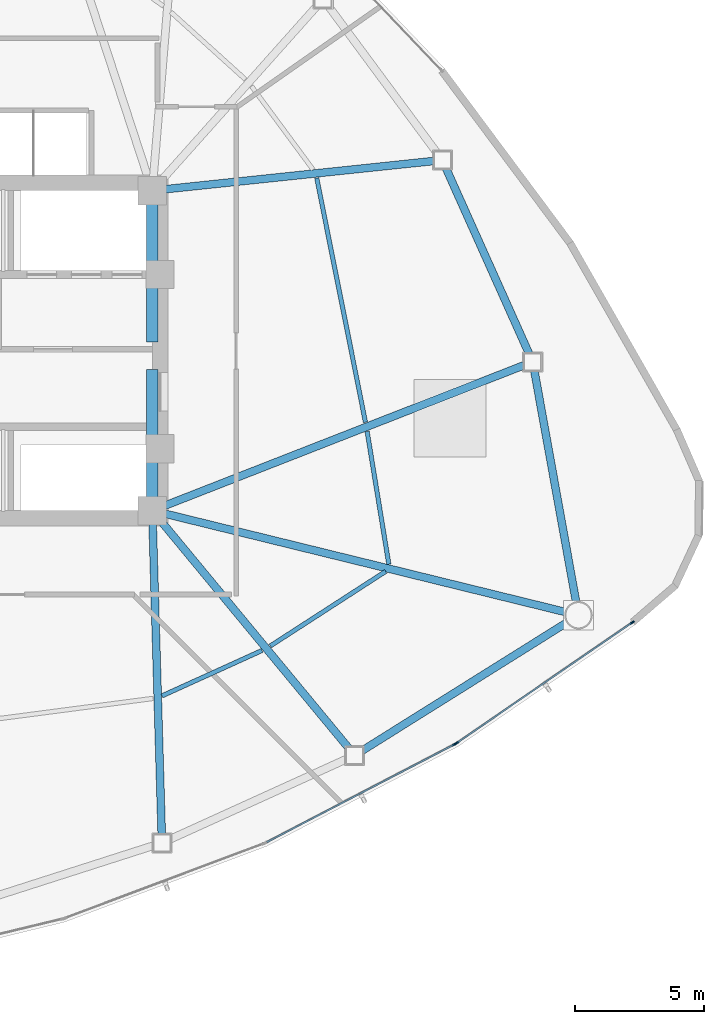
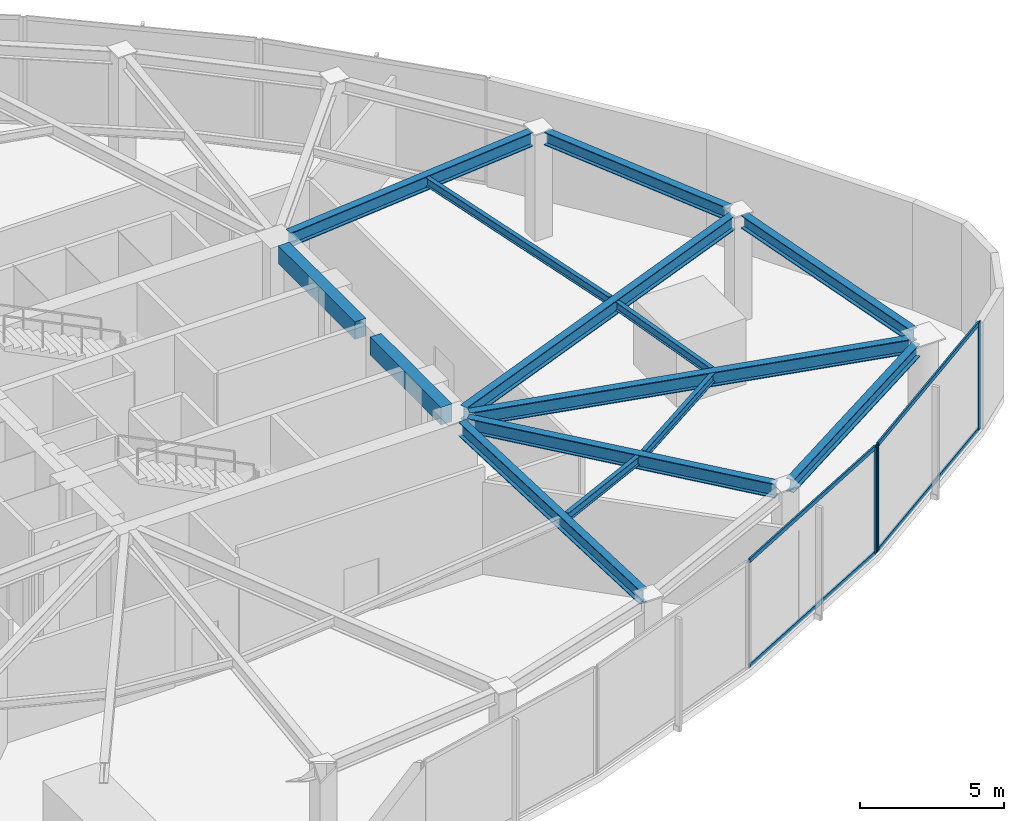
# One storey, part 6 of 16: 14 beams, 7 members, 2 elements without a shape of their own.
"""IFC4 building model written with IfcOpenShell, lengths in metres."""

from ifc_helpers import new_model, si_unit, direction, frame, origin, origin_2d, place, context, subcontext, project, spatial, rectangle, hollow_rectangle, i_section, extrude, source, transform, mapped, material, layer, layer_set, material_profile, profile_set, type_object, type_shapes, element, aggregate, save


model = new_model("IFC4")

# Units and contexts
model_context = context("Model", 3, precision=1e-05, world=origin(), true_north=direction((0.0, 1.0)))
body_context = subcontext(model_context, "Body", "Model", "MODEL_VIEW")
ifc_project = project(units=[si_unit("LENGTHUNIT", "METRE"), si_unit("AREAUNIT", "SQUARE_METRE"), si_unit("VOLUMEUNIT", "CUBIC_METRE"), si_unit("PLANEANGLEUNIT", "RADIAN"), si_unit("MASSUNIT", "GRAM", prefix="KILO")], contexts=[model_context])

# Site, building, storey
site_placement = place(None, origin())
site = spatial("IfcSite", under=ifc_project, at=site_placement, CompositionType="ELEMENT")
building_placement = place(site_placement, origin())
building = spatial("IfcBuilding", under=site, at=building_placement, Name="Tavelor Broadcast Tower", CompositionType="ELEMENT")
storey_placement = place(building_placement, frame((0.0, 0.0, 97.800048828125)))
storey = spatial("IfcBuildingStorey", under=building, at=storey_placement, Name="L23", CompositionType="ELEMENT", Elevation=97.800048828125)

# Beams
ifc_material_1 = material(Name="Concrete C40/50", Category="concrete")
ifc_material_profile_1 = material_profile(ifc_material_1, rectangle(XDim=0.449951171875, YDim=0.75, at=origin_2d()), Name="RC 450x750")
ifc_profile_set_1 = profile_set([ifc_material_profile_1], Name="Concrete C40/50")
beam_type_1 = type_object("IfcBeamType", Name="Basement Core Trim Beam 450x750", PredefinedType="BEAM", material=ifc_profile_set_1)
beam_1_placement = place(storey_placement, frame((56.60009765625, 45.327880859375, 4.175048828125), z_axis=(0.0, 1.0, 0.0), x_axis=(-1.0, 0.0, 0.0)))
element("IfcBeam", 1, at=beam_1_placement, inside=storey, type_object=beam_type_1, Name="L23 Core East-N Tie Girder", PredefinedType="BEAM", context=body_context, shape_type="SweptSolid", body=[
    extrude(rectangle(XDim=0.449951171875, YDim=0.75, at=origin_2d()), origin(), (0.0, 0.0, 1.0), 5.34423828125),
])
beam_2_placement = place(storey_placement, frame((56.60009765625, 39.327880859375, 4.175048828125), z_axis=(0.0, 1.0, 0.0), x_axis=(-1.0, 0.0, 0.0)))
element("IfcBeam", 2, at=beam_2_placement, inside=storey, type_object=beam_type_1, Name="L23 Core East-S Tie Girder", PredefinedType="BEAM", context=body_context, shape_type="SweptSolid", body=[
    extrude(rectangle(XDim=0.449951171875, YDim=0.75, at=origin_2d()), origin(), (0.0, 0.0, 1.0), 4.944091796875),
])
ifc_material_2 = material(Name="Steel S355", Category="steel")
ifc_material_profile_2 = material_profile(ifc_material_2, i_section(OverallWidth=0.169921875, OverallDepth=0.360107421875, WebThickness=0.008056640625, FlangeThickness=0.0126953125, at=origin_2d()), Name="IPE 360")
ifc_profile_set_2 = profile_set([ifc_material_profile_2], Name="Steel S355")
beam_type_2 = type_object("IfcBeamType", Name="Composite Floor Joist T2 IPE 360", PredefinedType="JOIST", material=ifc_profile_set_2)
beam_3_placement = place(storey_placement, frame((56.976318359375, 31.61865234375, 4.369873046875), z_axis=(0.910576347723, 0.413340918573, 0.0), x_axis=(-0.413340918573, 0.910576347723, 0.0)))
element("IfcBeam", 3, at=beam_3_placement, inside=storey, type_object=beam_type_2, Name="L23 Secondary Composite Floor Joist 11", PredefinedType="JOIST", context=body_context, shape_type="SweptSolid", body=[
    extrude(i_section(OverallWidth=0.169921875, OverallDepth=0.360107421875, WebThickness=0.008056640625, FlangeThickness=0.0126953125, at=origin_2d()), origin(), (0.0, 0.0, 1.0), 4.26025390625),
])
beam_4_placement = place(storey_placement, frame((61.172607421875, 33.552490234375, 4.369873046875), z_axis=(0.839830816691, 0.542848228639, 0.0), x_axis=(-0.542848228639, 0.839830816691, 0.0)))
element("IfcBeam", 4, at=beam_4_placement, inside=storey, type_object=beam_type_2, Name="L23 Secondary Composite Floor Joist 12", PredefinedType="JOIST", context=body_context, shape_type="SweptSolid", body=[
    extrude(i_section(OverallWidth=0.169921875, OverallDepth=0.360107421875, WebThickness=0.008056640625, FlangeThickness=0.0126953125, at=origin_2d()), origin(), (0.0, 0.0, 1.0), 5.325439453125),
])
beam_5_placement = place(storey_placement, frame((65.767822265625, 36.72021484375, 4.369873046875), z_axis=(-0.161277112784, 0.986909161419, 0.0), x_axis=(-0.986909161419, -0.161277112784, 0.0)))
element("IfcBeam", 5, at=beam_5_placement, inside=storey, type_object=beam_type_2, Name="L23 Secondary Composite Floor Joist 13", PredefinedType="JOIST", context=body_context, shape_type="SweptSolid", body=[
    extrude(i_section(OverallWidth=0.169921875, OverallDepth=0.360107421875, WebThickness=0.008056640625, FlangeThickness=0.0126953125, at=origin_2d()), origin(), (0.0, 0.0, 1.0), 5.213623046875),
])
beam_6_placement = place(storey_placement, frame((64.8623046875, 42.2216796875, 4.369873046875), z_axis=(-0.195581157194, 0.980687519524, 0.0), x_axis=(-0.980687519524, -0.195581157194, 0.0)))
element("IfcBeam", 6, at=beam_6_placement, inside=storey, type_object=beam_type_2, Name="L23 Secondary Composite Floor Joist 14", PredefinedType="JOIST", context=body_context, shape_type="SweptSolid", body=[
    extrude(i_section(OverallWidth=0.169921875, OverallDepth=0.360107421875, WebThickness=0.008056640625, FlangeThickness=0.0126953125, at=origin_2d()), origin(), (0.0, 0.0, 1.0), 9.654296875),
])
ifc_material_profile_3 = material_profile(ifc_material_2, i_section(OverallWidth=0.300048828125, OverallDepth=0.550048828125, WebThickness=0.014892578125, FlangeThickness=0.029052734375, at=origin_2d()), Name="HEB 550")
ifc_profile_set_3 = profile_set([ifc_material_profile_3], Name="Steel S355")
beam_type_3 = type_object("IfcBeamType", Name="Perimeter Spandrel Beam T2 HEB 550", PredefinedType="SPANDREL", material=ifc_profile_set_3)
beam_7_placement = place(storey_placement, frame((64.728271484375, 29.493408203125, 4.27490234375), z_axis=(0.847666386228, 0.530529638813, 0.0), x_axis=(-0.530529638813, 0.847666386228, 0.0)))
element("IfcBeam", 7, at=beam_7_placement, inside=storey, type_object=beam_type_3, Name="L23 Framed-Tube Ring Spandrel 12", PredefinedType="SPANDREL", context=body_context, shape_type="SweptSolid", body=[
    extrude(i_section(OverallWidth=0.300048828125, OverallDepth=0.550048828125, WebThickness=0.014892578125, FlangeThickness=0.029052734375, at=origin_2d()), origin(), (0.0, 0.0, 1.0), 9.385009765625),
])
beam_8_placement = place(storey_placement, frame((73.02685546875, 35.248046875, 4.27490234375), z_axis=(-0.177746542691, 0.984076301189, 0.0), x_axis=(-0.984076301189, -0.177746542691, 0.0)))
element("IfcBeam", 8, at=beam_8_placement, inside=storey, type_object=beam_type_3, Name="L23 Framed-Tube Ring Spandrel 13", PredefinedType="SPANDREL", context=body_context, shape_type="SweptSolid", body=[
    extrude(i_section(OverallWidth=0.300048828125, OverallDepth=0.550048828125, WebThickness=0.014892578125, FlangeThickness=0.029052734375, at=origin_2d()), origin(), (0.0, 0.0, 1.0), 9.13134765625),
])
beam_9_placement = place(storey_placement, frame((71.206787109375, 44.87109375, 4.27490234375), z_axis=(-0.408951132019, 0.912556284084, 0.0), x_axis=(-0.912556284084, -0.408951132019, 0.0)))
element("IfcBeam", 9, at=beam_9_placement, inside=storey, type_object=beam_type_3, Name="L23 Framed-Tube Ring Spandrel 14", PredefinedType="SPANDREL", context=body_context, shape_type="SweptSolid", body=[
    extrude(i_section(OverallWidth=0.300048828125, OverallDepth=0.550048828125, WebThickness=0.014892578125, FlangeThickness=0.029052734375, at=origin_2d()), origin(), (0.0, 0.0, 1.0), 7.895263671875),
])
ifc_material_profile_4 = material_profile(ifc_material_2, i_section(OverallWidth=0.300048828125, OverallDepth=0.60009765625, WebThickness=0.015380859375, FlangeThickness=0.030029296875, at=origin_2d()), Name="HEB 600")
ifc_profile_set_4 = profile_set([ifc_material_profile_4], Name="Steel S355")
beam_type_4 = type_object("IfcBeamType", Name="Radial Floor Girder T2 HEB 600", PredefinedType="BEAM", material=ifc_profile_set_4)
beam_10_placement = place(storey_placement, frame((56.615478515625, 38.272216796875, 4.25), z_axis=(0.029126279866, -0.999575739912, 0.0), x_axis=(0.999575739912, 0.029126279866, 0.0)))
element("IfcBeam", 10, at=beam_10_placement, inside=storey, type_object=beam_type_4, Name="L23 Radial Primary Floor Girder 11", PredefinedType="BEAM", context=body_context, shape_type="SweptSolid", body=[
    extrude(i_section(OverallWidth=0.300048828125, OverallDepth=0.60009765625, WebThickness=0.015380859375, FlangeThickness=0.030029296875, at=origin_2d()), origin(), (0.0, 0.0, 1.0), 12.02001953125),
])
beam_11_placement = place(storey_placement, frame((56.9365234375, 38.39306640625, 4.25), z_axis=(0.637277760564, -0.770634190709, 0.0), x_axis=(0.770634190709, 0.637277760564, 0.0)))
element("IfcBeam", 11, at=beam_11_placement, inside=storey, type_object=beam_type_4, Name="L23 Radial Primary Floor Girder 12", PredefinedType="BEAM", context=body_context, shape_type="SweptSolid", body=[
    extrude(i_section(OverallWidth=0.300048828125, OverallDepth=0.60009765625, WebThickness=0.015380859375, FlangeThickness=0.030029296875, at=origin_2d()), origin(), (0.0, 0.0, 1.0), 11.44384765625),
])
beam_12_placement = place(storey_placement, frame((57.11279296875, 38.674072265625, 4.25), z_axis=(0.971151145926, -0.238464780979, 0.0), x_axis=(0.238464780979, 0.971151145926, 0.0)))
element("IfcBeam", 12, at=beam_12_placement, inside=storey, type_object=beam_type_4, Name="L23 Radial Primary Floor Girder 13", PredefinedType="BEAM", context=body_context, shape_type="SweptSolid", body=[
    extrude(i_section(OverallWidth=0.300048828125, OverallDepth=0.60009765625, WebThickness=0.015380859375, FlangeThickness=0.030029296875, at=origin_2d()), origin(), (0.0, 0.0, 1.0), 15.96826171875),
])
beam_13_placement = place(storey_placement, frame((57.091796875, 38.9921875, 4.25), z_axis=(0.931341899941, 0.36414593972, 0.0), x_axis=(-0.36414593972, 0.931341899941, 0.0)))
element("IfcBeam", 13, at=beam_13_placement, inside=storey, type_object=beam_type_4, Name="L23 Radial Primary Floor Girder 14", PredefinedType="BEAM", context=body_context, shape_type="SweptSolid", body=[
    extrude(i_section(OverallWidth=0.300048828125, OverallDepth=0.60009765625, WebThickness=0.015380859375, FlangeThickness=0.030029296875, at=origin_2d()), origin(), (0.0, 0.0, 1.0), 14.967041015625),
])
beam_14_placement = place(storey_placement, frame((57.125, 51.255126953125, 4.25), z_axis=(0.994510577777, 0.104636086941, 0.0), x_axis=(-0.104636086941, 0.994510577777, 0.0)))
element("IfcBeam", 14, at=beam_14_placement, inside=storey, type_object=beam_type_4, Name="L23 Radial Primary Floor Girder 15", PredefinedType="BEAM", context=body_context, shape_type="SweptSolid", body=[
    extrude(i_section(OverallWidth=0.300048828125, OverallDepth=0.60009765625, WebThickness=0.015380859375, FlangeThickness=0.030029296875, at=origin_2d()), origin(), (0.0, 0.0, 1.0), 10.43896484375),
])

# Curtain wall, member
ifc_material_3 = material(Name="Architectural Anodized Aluminium", Category="aluminium")
ifc_layer = layer(ifc_material_3, 0.179931640625)
ifc_layer_set = layer_set([ifc_layer], Name="Architectural Anodized Aluminium")
curtain_wall_type = type_object("IfcCurtainWallType", Name="Tower Low-Zone Unitised Curtain Wall CW02", PredefinedType="NOTDEFINED", material=ifc_layer_set)
curtain_wall_1_placement = place(storey_placement, origin())
curtain_wall_1 = element("IfcCurtainWall", 15, at=curtain_wall_1_placement, inside=storey, type_object=curtain_wall_type, Name="L23 Curtain Wall CW02 Run 235", PredefinedType="NOTDEFINED")
ifc_material_profile_5 = material_profile(ifc_material_3, hollow_rectangle(XDim=0.06494140625, YDim=0.179931640625, WallThickness=0.02197265625, at=origin_2d()), Name="RHS 65x180x22")
ifc_profile_set_5 = profile_set([ifc_material_profile_5], Name="Architectural Anodized Aluminium")
member_type_1 = type_object("IfcMemberType", Name="CW02 Extruded Aluminium Mullion 65x180", PredefinedType="MULLION", material=ifc_profile_set_5)
shared_shape_1 = source(origin(), body_context, "Body", "SweptSolid", [
    extrude(hollow_rectangle(XDim=0.06494140625, YDim=0.179931640625, WallThickness=0.02197265625, at=origin_2d()), origin(), (0.0, 0.0, 1.0), 4.550048828125),
])
type_shapes(member_type_1, [shared_shape_1])
member_1_placement = place(storey_placement, frame((68.315673828125, 29.742919921875, 0.0), z_axis=(0.0, 0.0, 1.0), x_axis=(-0.462138560964, 0.886807730272, 0.0)))
member_1 = element("IfcMember", 16, at=member_1_placement, type_object=member_type_1, Name="CW02 mullion 2", PredefinedType="MULLION", context=body_context, shape_type="MappedRepresentation", body=[
    mapped(shared_shape_1, transform((0.0, 0.0, 0.0), scale=1.0)),
])

# Curtain wall, members
curtain_wall_2_placement = place(storey_placement, origin())
curtain_wall_2 = element("IfcCurtainWall", 17, at=curtain_wall_2_placement, inside=storey, type_object=curtain_wall_type, Name="L23 Curtain Wall CW02 Run 236", PredefinedType="NOTDEFINED")
member_2_placement = place(storey_placement, frame((68.396728515625, 29.791748046875, 0.0), z_axis=(0.0, 0.0, 1.0), x_axis=(-0.566069930955, 0.824357224308, 0.0)))
member_2 = element("IfcMember", 18, at=member_2_placement, type_object=member_type_1, Name="CW02 mullion 1", PredefinedType="MULLION", context=body_context, shape_type="MappedRepresentation", body=[
    mapped(shared_shape_1, transform((0.0, 0.0, 0.0), scale=1.0)),
])
member_3_placement = place(storey_placement, frame((75.198486328125, 34.46240234375, 0.0), z_axis=(0.0, 0.0, 1.0), x_axis=(-0.566069930955, 0.824357224308, 0.0)))
member_3 = element("IfcMember", 19, at=member_3_placement, type_object=member_type_1, Name="CW02 mullion 2", PredefinedType="MULLION", context=body_context, shape_type="MappedRepresentation", body=[
    mapped(shared_shape_1, transform((0.0, 0.0, 0.0), scale=1.0)),
])

# Member
ifc_material_profile_6 = material_profile(ifc_material_3, hollow_rectangle(XDim=0.06494140625, YDim=0.179931640625, WallThickness=0.02197265625, at=origin_2d()), Name="RHS 65x180x22")
ifc_profile_set_6 = profile_set([ifc_material_profile_6], Name="Architectural Anodized Aluminium")
member_type_2 = type_object("IfcMemberType", Name="CW02 Extruded Aluminium Transom 65x180", PredefinedType="USERDEFINED", material=ifc_profile_set_6)
shared_shape_2 = source(origin(), body_context, "Body", "SweptSolid", [
    extrude(hollow_rectangle(XDim=0.06494140625, YDim=0.179931640625, WallThickness=0.02197265625, at=origin_2d()), origin(), (0.0, 0.0, 1.0), 8.170166015625),
])
member_4_placement = place(storey_placement, frame((61.04150390625, 25.9521484375, 0.032470703125), z_axis=(0.886813316579, 0.462127841119, 0.0), x_axis=(-0.462127841119, 0.886813316579, 0.0)))
member_4 = element("IfcMember", 20, at=member_4_placement, type_object=member_type_2, Name="CW02 transom 1.1", ObjectType="TRANSOM", PredefinedType="USERDEFINED", context=body_context, shape_type="MappedRepresentation", body=[
    mapped(shared_shape_2, transform((0.0, 0.0, 0.0), scale=1.0)),
])

member_5_placement = place(storey_placement, frame((61.04150390625, 25.9521484375, 4.517333984375), z_axis=(0.886813316579, 0.462127841119, 0.0), x_axis=(-0.462127841119, 0.886813316579, 0.0)))
member_5 = element("IfcMember", 21, at=member_5_placement, type_object=member_type_2, Name="CW02 transom 1.2", ObjectType="TRANSOM", PredefinedType="USERDEFINED", context=body_context, shape_type="MappedRepresentation", body=[
    mapped(shared_shape_2, transform((0.0, 0.0, 0.0), scale=1.0)),
])

aggregate(curtain_wall_1, [member_1, member_4, member_5])

shared_shape_3 = source(origin(), body_context, "Body", "SweptSolid", [
    extrude(hollow_rectangle(XDim=0.06494140625, YDim=0.179931640625, WallThickness=0.02197265625, at=origin_2d()), origin(), (0.0, 0.0, 1.0), 8.185791015625),
])
type_shapes(member_type_2, [shared_shape_2, shared_shape_3])
member_6_placement = place(storey_placement, frame((68.423583984375, 29.81005859375, 0.032470703125), z_axis=(0.824355076365, 0.566073058951, 0.0), x_axis=(-0.566073058951, 0.824355076365, 0.0)))
member_6 = element("IfcMember", 22, at=member_6_placement, type_object=member_type_2, Name="CW02 transom 1.1", ObjectType="TRANSOM", PredefinedType="USERDEFINED", context=body_context, shape_type="MappedRepresentation", body=[
    mapped(shared_shape_3, transform((0.0, 0.0, 0.0), scale=1.0)),
])

member_7_placement = place(storey_placement, frame((68.423583984375, 29.81005859375, 4.517333984375), z_axis=(0.824355076365, 0.566073058951, 0.0), x_axis=(-0.566073058951, 0.824355076365, 0.0)))
member_7 = element("IfcMember", 23, at=member_7_placement, type_object=member_type_2, Name="CW02 transom 1.2", ObjectType="TRANSOM", PredefinedType="USERDEFINED", context=body_context, shape_type="MappedRepresentation", body=[
    mapped(shared_shape_3, transform((0.0, 0.0, 0.0), scale=1.0)),
])

aggregate(curtain_wall_2, [member_2, member_3, member_6, member_7])

save(model, "model.ifc")
